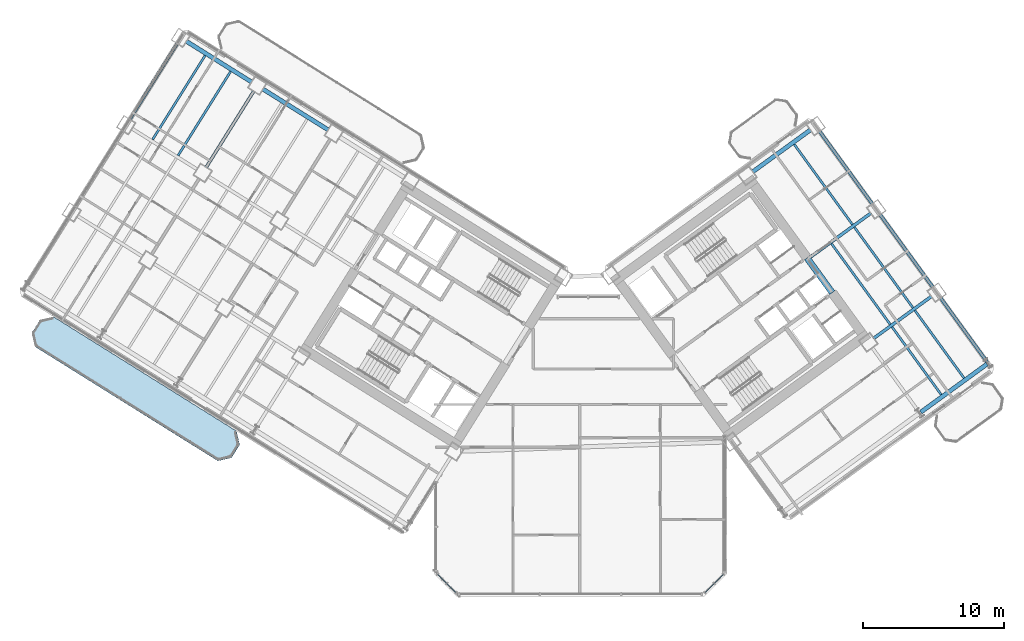
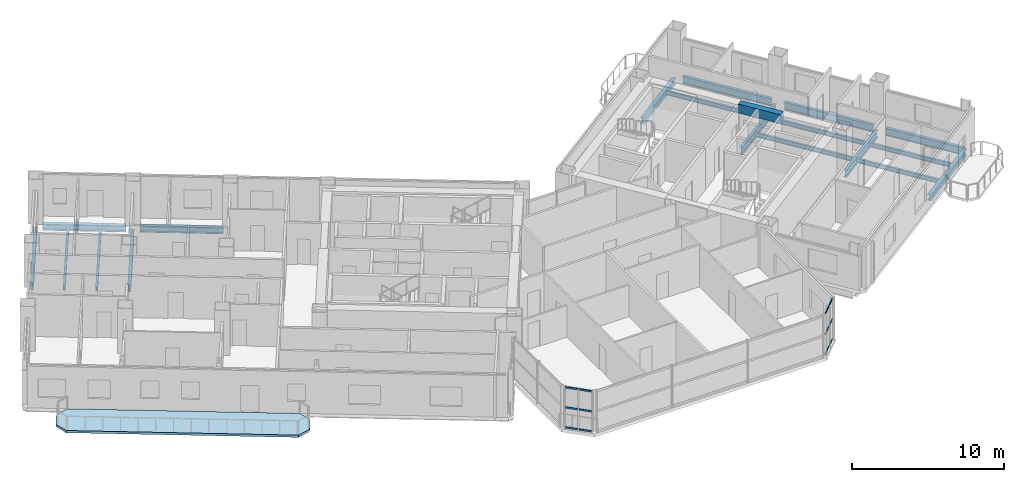
# One storey, part 12 of 28: 19 beams, 12 members, 1 slab, 2 elements without a shape of their own.
"""IFC4 building model written with IfcOpenShell, lengths in metres."""

from ifc_helpers import new_model, si_unit, direction, frame, origin, origin_2d, place, context, subcontext, project, spatial, polyline, rectangle, hollow_rectangle, i_section, outline, extrude, source, transform, mapped, material, layer, layer_set, material_profile, profile_set, type_object, element, aggregate, save


model = new_model("IFC4")

# Units and contexts
model_context = context("Model", 3, precision=1e-05, world=origin(), true_north=direction((0.0, 1.0)))
body_context = subcontext(model_context, "Body", "Model", "MODEL_VIEW")
ifc_project = project(units=[si_unit("LENGTHUNIT", "METRE"), si_unit("AREAUNIT", "SQUARE_METRE"), si_unit("VOLUMEUNIT", "CUBIC_METRE"), si_unit("PLANEANGLEUNIT", "RADIAN"), si_unit("MASSUNIT", "GRAM", prefix="KILO")], contexts=[model_context])

# Site, building, storey
site_placement = place(None, origin())
site = spatial("IfcSite", under=ifc_project, at=site_placement, CompositionType="ELEMENT")
building_placement = place(site_placement, origin())
building = spatial("IfcBuilding", under=site, at=building_placement, Name="Tlacorven Tower", CompositionType="ELEMENT")
storey_placement = place(building_placement, frame((0.0, 0.0, 49.199951171875)))
storey = spatial("IfcBuildingStorey", under=building, at=storey_placement, Name="L12", CompositionType="ELEMENT", Elevation=49.199951171875)

# Beams
ifc_material_1 = material(Name="Concrete C60/75", Category="concrete")
ifc_material_profile_1 = material_profile(ifc_material_1, rectangle(XDim=0.449951171875, YDim=0.699951171875, at=origin_2d()), Name="RC 450X700")
ifc_profile_set_1 = profile_set([ifc_material_profile_1], Name="Concrete C60/75")
beam_type_1 = type_object("IfcBeamType", Name="BM-LNT-700", PredefinedType="LINTEL", material=ifc_profile_set_1)
shared_shape_1 = source(origin(), body_context, "Body", "SweptSolid", [
    extrude(rectangle(XDim=0.449951171875, YDim=0.699951171875, at=origin_2d()), origin(), (0.0, 0.0, 1.0), 3.050048828125),
])
beam_1_placement = place(storey_placement, frame((59.856689453125, 23.345947265625, 3.0), z_axis=(-0.587776590479, 0.80902328748, 0.0), x_axis=(-0.80902328748, -0.587776590479, 0.0)))
element("IfcBeam", 1, at=beam_1_placement, inside=storey, type_object=beam_type_1, Name="L12 E core coupling lintel beam E2", PredefinedType="LINTEL", context=body_context, shape_type="MappedRepresentation", body=[
    mapped(shared_shape_1, transform((0.0, 0.0, 0.0), scale=1.0)),
])
ifc_material_2 = material(Name="Steel S355J2", Category="steel")
ifc_material_profile_2 = material_profile(ifc_material_2, i_section(OverallWidth=0.300048828125, OverallDepth=0.489990234375, WebThickness=0.011962890625, FlangeThickness=0.02294921875, at=origin_2d()), Name="HEA 500")
ifc_profile_set_2 = profile_set([ifc_material_profile_2], Name="Steel S355J2")
beam_type_2 = type_object("IfcBeamType", Name="BM-SPN-500", PredefinedType="SPANDREL", material=ifc_profile_set_2)
shared_shape_2 = source(origin(), body_context, "Body", "SweptSolid", [
    extrude(i_section(OverallWidth=0.300048828125, OverallDepth=0.489990234375, WebThickness=0.011962890625, FlangeThickness=0.02294921875, at=origin_2d()), origin(), (0.0, 0.0, 1.0), 5.5),
])
for number, where, z_axis, x_axis, name in (
    (2, (24.118896484375, 34.88134765625, -0.494873046875), (-0.848050668838, 0.52991514706, 0.0), (-0.52991514706, -0.848050668838, 0.0), "L12 beam BM-L12-WL1-4"),
    (3, (18.69140625, 38.272705078125, -0.494873046875), (-0.848050668838, 0.52991514706, 0.0), (-0.52991514706, -0.848050668838, 0.0), "L12 beam BM-L12-WL1-5"),
):
    element("IfcBeam", number, at=place(storey_placement, frame(where, z_axis=z_axis, x_axis=x_axis)), inside=storey, type_object=beam_type_2, Name=name, PredefinedType="SPANDREL", context=body_context, shape_type="MappedRepresentation", body=[
        mapped(shared_shape_2, transform((0.0, 0.0, 0.0), scale=1.0)),
    ])
ifc_material_profile_3 = material_profile(ifc_material_2, i_section(OverallWidth=0.219970703125, OverallDepth=0.60009765625, WebThickness=0.011962890625, FlangeThickness=0.01904296875, at=origin_2d()), Name="IPE 600")
ifc_profile_set_3 = profile_set([ifc_material_profile_3], Name="Steel S355J2")
beam_type_3 = type_object("IfcBeamType", Name="BM-TWR-600", PredefinedType="BEAM", material=ifc_profile_set_3)
shared_shape_3 = source(origin(), body_context, "Body", "SweptSolid", [
    extrude(i_section(OverallWidth=0.219970703125, OverallDepth=0.60009765625, WebThickness=0.011962890625, FlangeThickness=0.01904296875, at=origin_2d()), origin(), (0.0, 0.0, 1.0), 5.650146484375),
])
beam_2_placement = place(storey_placement, frame((70.853271484375, 18.41845703125, -0.550048828125), z_axis=(-0.587783675561, 0.809018139935, 0.0), x_axis=(-0.809018139935, -0.587783675561, 0.0)))
element("IfcBeam", 4, at=beam_2_placement, inside=storey, type_object=beam_type_3, Name="L12 beam BM-L12-ET4-1", PredefinedType="BEAM", context=body_context, shape_type="MappedRepresentation", body=[
    mapped(shared_shape_3, transform((0.0, 0.0, 0.0), scale=1.0)),
])
shared_shape_4 = source(origin(), body_context, "Body", "SweptSolid", [
    extrude(i_section(OverallWidth=0.219970703125, OverallDepth=0.60009765625, WebThickness=0.011962890625, FlangeThickness=0.01904296875, at=origin_2d()), origin(), (0.0, 0.0, 1.0), 6.39990234375),
])
for number, where, z_axis, x_axis, name in (
    (5, (67.003173828125, 23.717529296875, -0.550048828125), (-0.587772420479, 0.809026317077, 0.0), (-0.809026317077, -0.587772420479, 0.0), "L12 beam BM-L12-ET4-2"),
    (6, (62.71240234375, 29.62353515625, -0.550048828125), (-0.587815528162, 0.808994996803, 0.0), (-0.808994996803, -0.587815528162, 0.0), "L12 beam BM-L12-ET4-3"),
):
    element("IfcBeam", number, at=place(storey_placement, frame(where, z_axis=z_axis, x_axis=x_axis)), inside=storey, type_object=beam_type_3, Name=name, PredefinedType="BEAM", context=body_context, shape_type="MappedRepresentation", body=[
        mapped(shared_shape_4, transform((0.0, 0.0, 0.0), scale=1.0)),
    ])
shared_shape_5 = source(origin(), body_context, "Body", "SweptSolid", [
    extrude(i_section(OverallWidth=0.219970703125, OverallDepth=0.60009765625, WebThickness=0.011962890625, FlangeThickness=0.01904296875, at=origin_2d()), origin(), (0.0, 0.0, 1.0), 6.400146484375),
])
for number, where, z_axis, x_axis, name in (
    (7, (18.83447265625, 37.652587890625, -0.550048828125), (-0.529933789039, -0.848039019877, 0.0), (0.848039019877, -0.529933789039, 0.0), "L12 beam BM-L12-WT5-1"),
    (8, (13.406982421875, 41.044189453125, -0.550048828125), (-0.529933789039, -0.848039019877, 0.0), (0.848039019877, -0.529933789039, 0.0), "L12 beam BM-L12-WT6-1"),
):
    element("IfcBeam", number, at=place(storey_placement, frame(where, z_axis=z_axis, x_axis=x_axis)), inside=storey, type_object=beam_type_3, Name=name, PredefinedType="BEAM", context=body_context, shape_type="MappedRepresentation", body=[
        mapped(shared_shape_5, transform((0.0, 0.0, 0.0), scale=1.0)),
    ])
ifc_material_profile_4 = material_profile(ifc_material_2, i_section(OverallWidth=0.159912109375, OverallDepth=0.330078125, WebThickness=0.007568359375, FlangeThickness=0.011474609375, at=origin_2d()), Name="IPE 330")
ifc_profile_set_4 = profile_set([ifc_material_profile_4], Name="Steel S355J2")
beam_type_4 = type_object("IfcBeamType", Name="BM-JST-330", PredefinedType="JOIST", material=ifc_profile_set_4)
shared_shape_6 = source(origin(), body_context, "Body", "SweptSolid", [
    extrude(i_section(OverallWidth=0.159912109375, OverallDepth=0.330078125, WebThickness=0.007568359375, FlangeThickness=0.011474609375, at=origin_2d()), origin(), (0.0, 0.0, 1.0), 7.030029296875),
])
for number, where, z_axis, x_axis, name in (
    (9, (17.181640625, 39.033447265625, -0.4150390625), (-0.529911532383, -0.848052927504, 0.0), (0.848052927504, -0.529911532383, 0.0), "L12 beam BM-L12-WJ5-1-1"),
    (10, (15.372314453125, 40.163818359375, -0.4150390625), (-0.529927139185, -0.84804317529, 0.0), (0.84804317529, -0.529927139185, 0.0), "L12 beam BM-L12-WJ5-1-2"),
    (11, (61.291259765625, 28.1767578125, -0.4150390625), (-0.587773097846, 0.809025824958, 0.0), (-0.809025824958, -0.587773097846, 0.0), "L12 beam BM-L12-EJ3-3-2"),
):
    element("IfcBeam", number, at=place(storey_placement, frame(where, z_axis=z_axis, x_axis=x_axis)), inside=storey, type_object=beam_type_4, Name=name, PredefinedType="JOIST", context=body_context, shape_type="MappedRepresentation", body=[
        mapped(shared_shape_6, transform((0.0, 0.0, 0.0), scale=1.0)),
    ])
shared_shape_7 = source(origin(), body_context, "Body", "SweptSolid", [
    extrude(i_section(OverallWidth=0.159912109375, OverallDepth=0.330078125, WebThickness=0.007568359375, FlangeThickness=0.011474609375, at=origin_2d()), origin(), (0.0, 0.0, 1.0), 5.93017578125),
])
for number, where, z_axis, x_axis, name in (
    (12, (67.584716796875, 16.11181640625, -0.4150390625), (-0.587777512947, 0.809022617282, 0.0), (-0.809022617282, -0.587777512947, 0.0), "L12 beam BM-L12-EJ3-1-1"),
    (13, (69.202880859375, 17.287353515625, -0.4150390625), (-0.587777512947, 0.809022617282, 0.0), (-0.809022617282, -0.587777512947, 0.0), "L12 beam BM-L12-EJ3-1-2"),
):
    element("IfcBeam", number, at=place(storey_placement, frame(where, z_axis=z_axis, x_axis=x_axis)), inside=storey, type_object=beam_type_4, Name=name, PredefinedType="JOIST", context=body_context, shape_type="MappedRepresentation", body=[
        mapped(shared_shape_7, transform((0.0, 0.0, 0.0), scale=1.0)),
    ])
shared_shape_8 = source(origin(), body_context, "Body", "SweptSolid", [
    extrude(i_section(OverallWidth=0.159912109375, OverallDepth=0.330078125, WebThickness=0.007568359375, FlangeThickness=0.011474609375, at=origin_2d()), origin(), (0.0, 0.0, 1.0), 7.070068359375),
])
beam_3_placement = place(storey_placement, frame((63.964111328125, 21.095458984375, -0.4150390625), z_axis=(-0.587797946309, 0.80900777148, 0.0), x_axis=(-0.80900777148, -0.587797946309, 0.0)))
element("IfcBeam", 14, at=beam_3_placement, inside=storey, type_object=beam_type_4, Name="L12 beam BM-L12-EJ3-2-1", PredefinedType="JOIST", context=body_context, shape_type="MappedRepresentation", body=[
    mapped(shared_shape_8, transform((0.0, 0.0, 0.0), scale=1.0)),
])
shared_shape_9 = source(origin(), body_context, "Body", "SweptSolid", [
    extrude(i_section(OverallWidth=0.159912109375, OverallDepth=0.330078125, WebThickness=0.007568359375, FlangeThickness=0.011474609375, at=origin_2d()), origin(), (0.0, 0.0, 1.0), 7.06982421875),
])
beam_4_placement = place(storey_placement, frame((65.58203125, 22.27099609375, -0.4150390625), z_axis=(-0.58777534487, 0.809024192446, 0.0), x_axis=(-0.809024192446, -0.58777534487, 0.0)))
element("IfcBeam", 15, at=beam_4_placement, inside=storey, type_object=beam_type_4, Name="L12 beam BM-L12-EJ3-2-2", PredefinedType="JOIST", context=body_context, shape_type="MappedRepresentation", body=[
    mapped(shared_shape_9, transform((0.0, 0.0, 0.0), scale=1.0)),
])
shared_shape_10 = source(origin(), body_context, "Body", "SweptSolid", [
    extrude(i_section(OverallWidth=0.300048828125, OverallDepth=0.489990234375, WebThickness=0.011962890625, FlangeThickness=0.02294921875, at=origin_2d()), origin(), (0.0, 0.0, 1.0), 5.800048828125),
])
beam_5_placement = place(storey_placement, frame((66.138671875, 14.86962890625, -0.494873046875), z_axis=(0.809019944521, 0.587781191743, 0.0), x_axis=(-0.587781191743, 0.809019944521, 0.0)))
element("IfcBeam", 16, at=beam_5_placement, inside=storey, type_object=beam_type_2, Name="L12 beam BM-L12-EL1-3", PredefinedType="SPANDREL", context=body_context, shape_type="MappedRepresentation", body=[
    mapped(shared_shape_10, transform((0.0, 0.0, 0.0), scale=1.0)),
])
shared_shape_11 = source(origin(), body_context, "Body", "SweptSolid", [
    extrude(i_section(OverallWidth=0.219970703125, OverallDepth=0.60009765625, WebThickness=0.011962890625, FlangeThickness=0.01904296875, at=origin_2d()), origin(), (0.0, 0.0, 1.0), 5.10009765625),
])
beam_6_placement = place(storey_placement, frame((62.777587890625, 20.09130859375, -0.550048828125), z_axis=(0.809007176828, 0.58779876475, 0.0), x_axis=(-0.58779876475, 0.809007176828, 0.0)))
element("IfcBeam", 17, at=beam_6_placement, inside=storey, type_object=beam_type_3, Name="L12 beam BM-L12-EL2-3", PredefinedType="BEAM", context=body_context, shape_type="MappedRepresentation", body=[
    mapped(shared_shape_11, transform((0.0, 0.0, 0.0), scale=1.0)),
])
shared_shape_12 = source(origin(), body_context, "Body", "SweptSolid", [
    extrude(i_section(OverallWidth=0.219970703125, OverallDepth=0.60009765625, WebThickness=0.011962890625, FlangeThickness=0.01904296875, at=origin_2d()), origin(), (0.0, 0.0, 1.0), 5.510009765625),
])
beam_7_placement = place(storey_placement, frame((58.155029296875, 25.756103515625, -0.550048828125), z_axis=(0.809015730594, 0.587786991734, 0.0), x_axis=(-0.587786991734, 0.809015730594, 0.0)))
element("IfcBeam", 18, at=beam_7_placement, inside=storey, type_object=beam_type_3, Name="L12 beam BM-L12-EL3-3", PredefinedType="BEAM", context=body_context, shape_type="MappedRepresentation", body=[
    mapped(shared_shape_12, transform((0.0, 0.0, 0.0), scale=1.0)),
])
shared_shape_13 = source(origin(), body_context, "Body", "SweptSolid", [
    extrude(i_section(OverallWidth=0.300048828125, OverallDepth=0.489990234375, WebThickness=0.011962890625, FlangeThickness=0.02294921875, at=origin_2d()), origin(), (0.0, 0.0, 1.0), 5.099853515625),
])
beam_8_placement = place(storey_placement, frame((54.196044921875, 31.903076171875, -0.494873046875), z_axis=(0.809029940764, 0.587767432704, 0.0), x_axis=(-0.587767432704, 0.809029940764, 0.0)))
element("IfcBeam", 19, at=beam_8_placement, inside=storey, type_object=beam_type_2, Name="L12 beam BM-L12-EL4-3", PredefinedType="SPANDREL", context=body_context, shape_type="MappedRepresentation", body=[
    mapped(shared_shape_13, transform((0.0, 0.0, 0.0), scale=1.0)),
])

# Curtain wall, members
ifc_material_3 = material(Name="Dark solar low-E double glazing in aluminium frame", Category="aluminium")
curtain_wall_type = type_object("IfcCurtainWallType", Name="CW-TWR-LOW", PredefinedType="USERDEFINED", material=ifc_material_3)
curtain_wall_1_placement = place(storey_placement, origin())
curtain_wall_1 = element("IfcCurtainWall", 20, at=curtain_wall_1_placement, inside=storey, type_object=curtain_wall_type, Name="L12 CW-TWR-LOW Curtain Wall 63", ObjectType="UNITISED CURTAIN WALL", PredefinedType="USERDEFINED")
ifc_material_4 = material(Name="Aluminium 6063-T6 anodised", Category="aluminium")
ifc_material_profile_5 = material_profile(ifc_material_4, hollow_rectangle(XDim=0.06005859375, YDim=0.139892578125, WallThickness=0.00390625, at=origin_2d()), Name="ALU TRANSOM 60X140")
ifc_profile_set_5 = profile_set([ifc_material_profile_5], Name="Aluminium 6063-T6 anodised")
member_type = type_object("IfcMemberType", Name="CWT-02", PredefinedType="USERDEFINED", material=ifc_profile_set_5)
shared_shape_14 = source(origin(), body_context, "Body", "SweptSolid", [
    extrude(hollow_rectangle(XDim=0.06005859375, YDim=0.139892578125, WallThickness=0.00390625, at=origin_2d()), origin(), (0.0, 0.0, 1.0), 0.8837890625),
])
member_1_placement = place(storey_placement, frame((52.128173828125, 3.3544921875, 0.070068359375), z_axis=(-0.707106781187, -0.707106781187, 0.0), x_axis=(0.707106781187, -0.707106781187, 0.0)))
member_1 = element("IfcMember", 21, at=member_1_placement, type_object=member_type, Name="CW-L12-063 Transom 1", ObjectType="TRANSOM", PredefinedType="USERDEFINED", context=body_context, shape_type="MappedRepresentation", body=[
    mapped(shared_shape_14, transform((0.0, 0.0, 0.0), scale=1.0)),
])
member_2_placement = place(storey_placement, frame((52.128173828125, 3.3544921875, 1.675048828125), z_axis=(-0.707106781187, -0.707106781187, 0.0), x_axis=(0.707106781187, -0.707106781187, 0.0)))
member_2 = element("IfcMember", 22, at=member_2_placement, type_object=member_type, Name="CW-L12-063 Transom 2", ObjectType="TRANSOM", PredefinedType="USERDEFINED", context=body_context, shape_type="MappedRepresentation", body=[
    mapped(shared_shape_14, transform((0.0, 0.0, 0.0), scale=1.0)),
])
member_3_placement = place(storey_placement, frame((52.128173828125, 3.3544921875, 3.280029296875), z_axis=(-0.707106781187, -0.707106781187, 0.0), x_axis=(0.707106781187, -0.707106781187, 0.0)))
member_3 = element("IfcMember", 23, at=member_3_placement, type_object=member_type, Name="CW-L12-063 Transom 3", ObjectType="TRANSOM", PredefinedType="USERDEFINED", context=body_context, shape_type="MappedRepresentation", body=[
    mapped(shared_shape_14, transform((0.0, 0.0, 0.0), scale=1.0)),
])

curtain_wall_2_placement = place(storey_placement, origin())
curtain_wall_2 = element("IfcCurtainWall", 24, at=curtain_wall_2_placement, inside=storey, type_object=curtain_wall_type, Name="L12 CW-TWR-LOW Curtain Wall 65", ObjectType="UNITISED CURTAIN WALL", PredefinedType="USERDEFINED")
member_4_placement = place(storey_placement, frame((32.496826171875, 2.7294921875, 0.070068359375), z_axis=(-0.707106781187, 0.707106781187, 0.0), x_axis=(-0.707106781187, -0.707106781187, 0.0)))
member_4 = element("IfcMember", 25, at=member_4_placement, type_object=member_type, Name="CW-L12-065 Transom 4", ObjectType="TRANSOM", PredefinedType="USERDEFINED", context=body_context, shape_type="MappedRepresentation", body=[
    mapped(shared_shape_14, transform((0.0, 0.0, 0.0), scale=1.0)),
])
member_5_placement = place(storey_placement, frame((32.496826171875, 2.7294921875, 1.675048828125), z_axis=(-0.707106781187, 0.707106781187, 0.0), x_axis=(-0.707106781187, -0.707106781187, 0.0)))
member_5 = element("IfcMember", 26, at=member_5_placement, type_object=member_type, Name="CW-L12-065 Transom 5", ObjectType="TRANSOM", PredefinedType="USERDEFINED", context=body_context, shape_type="MappedRepresentation", body=[
    mapped(shared_shape_14, transform((0.0, 0.0, 0.0), scale=1.0)),
])
member_6_placement = place(storey_placement, frame((32.496826171875, 2.7294921875, 3.280029296875), z_axis=(-0.707106781187, 0.707106781187, 0.0), x_axis=(-0.707106781187, -0.707106781187, 0.0)))
member_6 = element("IfcMember", 27, at=member_6_placement, type_object=member_type, Name="CW-L12-065 Transom 6", ObjectType="TRANSOM", PredefinedType="USERDEFINED", context=body_context, shape_type="MappedRepresentation", body=[
    mapped(shared_shape_14, transform((0.0, 0.0, 0.0), scale=1.0)),
])

# Member
shared_shape_15 = source(origin(), body_context, "Body", "SweptSolid", [
    extrude(hollow_rectangle(XDim=0.06005859375, YDim=0.139892578125, WallThickness=0.00390625, at=origin_2d()), origin(), (0.0, 0.0, 1.0), 0.884033203125),
])
member_7_placement = place(storey_placement, frame((51.470703125, 2.69677734375, 0.070068359375), z_axis=(-0.707244847527, -0.706968687883, 0.0), x_axis=(0.706968687883, -0.707244847527, 0.0)))
member_7 = element("IfcMember", 28, at=member_7_placement, type_object=member_type, Name="CW-L12-063 Transom 4", ObjectType="TRANSOM", PredefinedType="USERDEFINED", context=body_context, shape_type="MappedRepresentation", body=[
    mapped(shared_shape_15, transform((0.0, 0.0, 0.0), scale=1.0)),
])

member_8_placement = place(storey_placement, frame((51.470703125, 2.69677734375, 1.675048828125), z_axis=(-0.707244847527, -0.706968687883, 0.0), x_axis=(0.706968687883, -0.707244847527, 0.0)))
member_8 = element("IfcMember", 29, at=member_8_placement, type_object=member_type, Name="CW-L12-063 Transom 5", ObjectType="TRANSOM", PredefinedType="USERDEFINED", context=body_context, shape_type="MappedRepresentation", body=[
    mapped(shared_shape_15, transform((0.0, 0.0, 0.0), scale=1.0)),
])

member_9_placement = place(storey_placement, frame((51.470703125, 2.69677734375, 3.280029296875), z_axis=(-0.707244847527, -0.706968687883, 0.0), x_axis=(0.706968687883, -0.707244847527, 0.0)))
member_9 = element("IfcMember", 30, at=member_9_placement, type_object=member_type, Name="CW-L12-063 Transom 6", ObjectType="TRANSOM", PredefinedType="USERDEFINED", context=body_context, shape_type="MappedRepresentation", body=[
    mapped(shared_shape_15, transform((0.0, 0.0, 0.0), scale=1.0)),
])

aggregate(curtain_wall_1, [member_1, member_2, member_3, member_7, member_8, member_9])

member_10_placement = place(storey_placement, frame((33.154541015625, 2.07177734375, 0.070068359375), z_axis=(-0.707244847527, 0.706968687883, 0.0), x_axis=(-0.706968687883, -0.707244847527, 0.0)))
member_10 = element("IfcMember", 31, at=member_10_placement, type_object=member_type, Name="CW-L12-065 Transom 1", ObjectType="TRANSOM", PredefinedType="USERDEFINED", context=body_context, shape_type="MappedRepresentation", body=[
    mapped(shared_shape_15, transform((0.0, 0.0, 0.0), scale=1.0)),
])

member_11_placement = place(storey_placement, frame((33.154541015625, 2.07177734375, 1.675048828125), z_axis=(-0.707244847527, 0.706968687883, 0.0), x_axis=(-0.706968687883, -0.707244847527, 0.0)))
member_11 = element("IfcMember", 32, at=member_11_placement, type_object=member_type, Name="CW-L12-065 Transom 2", ObjectType="TRANSOM", PredefinedType="USERDEFINED", context=body_context, shape_type="MappedRepresentation", body=[
    mapped(shared_shape_15, transform((0.0, 0.0, 0.0), scale=1.0)),
])

member_12_placement = place(storey_placement, frame((33.154541015625, 2.07177734375, 3.280029296875), z_axis=(-0.707244847527, 0.706968687883, 0.0), x_axis=(-0.706968687883, -0.707244847527, 0.0)))
member_12 = element("IfcMember", 33, at=member_12_placement, type_object=member_type, Name="CW-L12-065 Transom 3", ObjectType="TRANSOM", PredefinedType="USERDEFINED", context=body_context, shape_type="MappedRepresentation", body=[
    mapped(shared_shape_15, transform((0.0, 0.0, 0.0), scale=1.0)),
])

aggregate(curtain_wall_2, [member_10, member_11, member_12, member_4, member_5, member_6])

# Slab
ifc_material_5 = material(Name="Precast concrete C45/55", Category="concrete")
ifc_layer = layer(ifc_material_5, 0.179931640625)
ifc_layer_set = layer_set([ifc_layer], Name="Precast concrete C45/55")
slab_type = type_object("IfcSlabType", Name="SL-BAL-180", PredefinedType="USERDEFINED", material=ifc_layer_set)
slab_placement = place(storey_placement, frame((0.0, 0.0, -0.179931640625)))
element("IfcSlab", 34, at=slab_placement, inside=storey, type_object=slab_type, Name="L12 West Wing Balcony Ribbon OUT", ObjectType="BALCONY SLAB", PredefinedType="USERDEFINED", context=body_context, shape_type="SweptSolid", body=[
    extrude(outline(polyline([(17.601318359375, 13.52490234375), (4.626220703125, 21.632568359375), (3.66162109375, 21.409912109375), (3.081298828125, 20.4814453125), (3.303955078125, 19.516845703125), (16.279052734375, 11.408935546875), (17.24365234375, 11.6318359375), (17.823974609375, 12.560302734375), (17.601318359375, 13.52490234375)])), origin(), (0.0, 0.0, 1.0), 0.179931640625),
])

save(model, "model.ifc")
